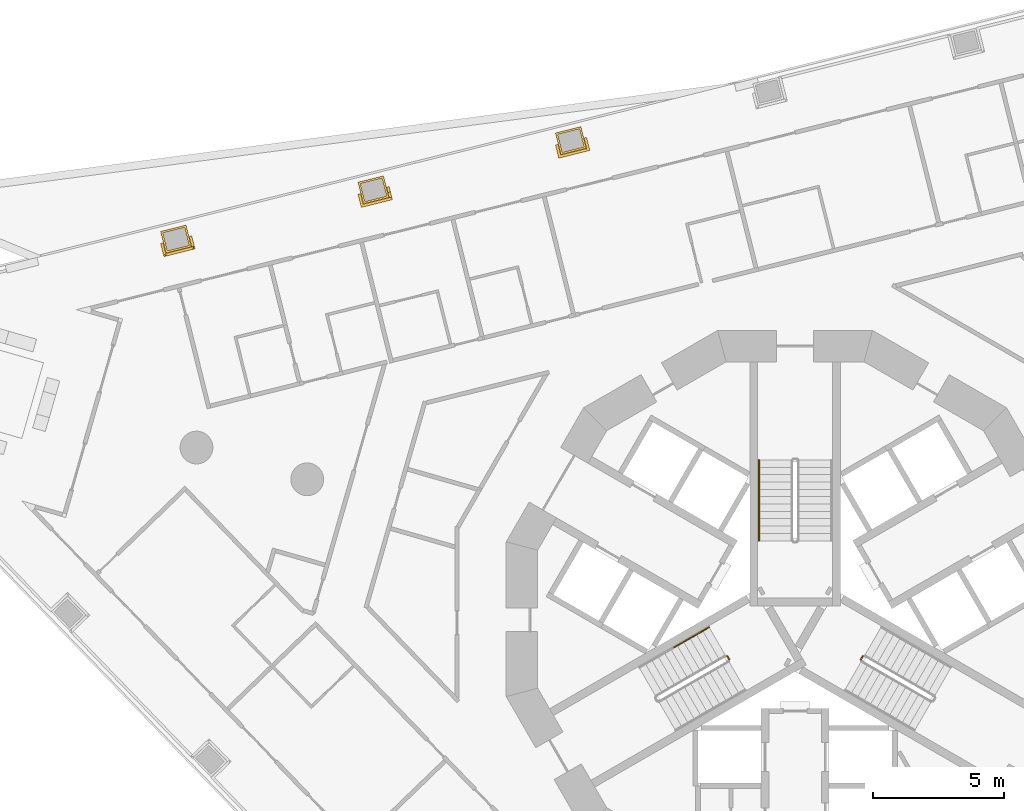
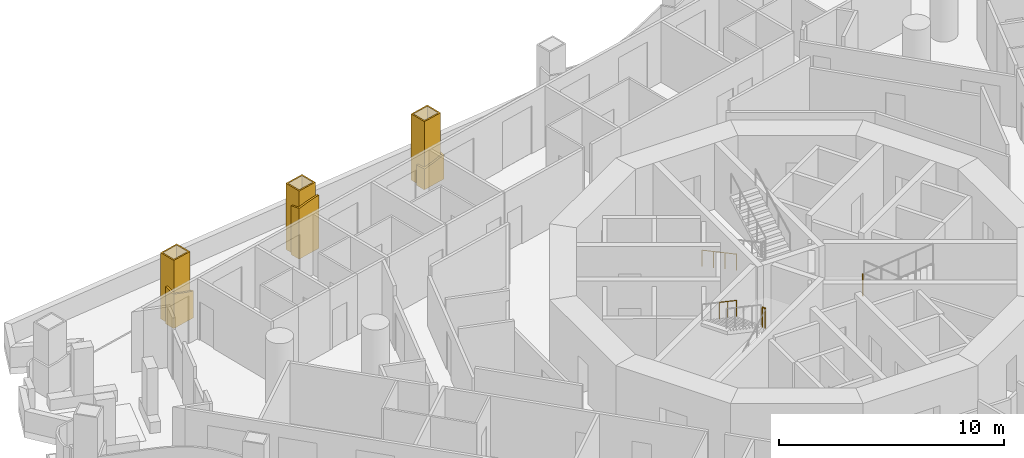
# One storey, part 16 of 19: 7 railings, 3 coverings.
"""IFC4 building model written with IfcOpenShell, lengths in metres."""

from ifc_helpers import new_model, si_unit, direction, frame, origin, origin_2d, place, context, subcontext, project, spatial, polyline, circle, outline, extrude, material, layer, layer_set, type_object, element, save


model = new_model("IFC4")

# Units and contexts
model_context = context("Model", 3, precision=1e-05, world=origin(), true_north=direction((0.0, 1.0)))
body_context = subcontext(model_context, "Body", "Model", "MODEL_VIEW")
ifc_project = project(units=[si_unit("LENGTHUNIT", "METRE"), si_unit("AREAUNIT", "SQUARE_METRE"), si_unit("VOLUMEUNIT", "CUBIC_METRE"), si_unit("PLANEANGLEUNIT", "RADIAN"), si_unit("MASSUNIT", "GRAM", prefix="KILO")], contexts=[model_context])

# Site, building, storey
site_placement = place(None, origin())
site = spatial("IfcSite", under=ifc_project, at=site_placement, CompositionType="ELEMENT")
building_placement = place(site_placement, origin())
building = spatial("IfcBuilding", under=site, at=building_placement, Name="Trine Commons Tower", CompositionType="ELEMENT")
storey_placement = place(building_placement, frame((0.0, 0.0, 87.300048828125)))
storey = spatial("IfcBuildingStorey", under=building, at=storey_placement, Name="L21", CompositionType="ELEMENT", Elevation=87.300048828125)

# Coverings
ifc_material_1 = material(Name="Limestone, honed", Category="masonry")
ifc_layer_1 = layer(ifc_material_1, 0.074951171875)
ifc_layer_set_1 = layer_set([ifc_layer_1], Name="Limestone, honed")
covering_type = type_object("IfcCoveringType", Name="Limestone column cladding 75", PredefinedType="CLADDING", material=ifc_layer_set_1)
covering_1_placement = place(storey_placement, origin())
element("IfcCovering", 1, at=covering_1_placement, inside=storey, type_object=covering_type, Name="Limestone pier cladding 3-10", PredefinedType="CLADDING", context=body_context, shape_type="SweptSolid", body=[
    extrude(outline(polyline([(56.9873046875, 76.698486328125), (56.78173828125, 77.523193359375), (55.811279296875, 77.28125), (56.01708984375, 76.45654296875), (56.9873046875, 76.698486328125)]), holes=[polyline([(56.896484375, 76.7529296875), (56.72705078125, 77.43212890625), (55.90234375, 77.2265625), (56.07177734375, 76.54736328125), (56.896484375, 76.7529296875)])]), origin(), (0.0, 0.0, 1.0), 3.599853515625),
])
covering_2_placement = place(storey_placement, origin())
element("IfcCovering", 2, at=covering_2_placement, inside=storey, type_object=covering_type, Name="Limestone pier cladding 3-11", PredefinedType="CLADDING", context=body_context, shape_type="SweptSolid", body=[
    extrude(outline(polyline([(64.5146484375, 78.5751953125), (64.308837890625, 79.39990234375), (63.338623046875, 79.157958984375), (63.544189453125, 78.333251953125), (64.5146484375, 78.5751953125)]), holes=[polyline([(64.423583984375, 78.6298828125), (64.25439453125, 79.30908203125), (63.4296875, 79.103515625), (63.598876953125, 78.42431640625), (64.423583984375, 78.6298828125)])]), origin(), (0.0, 0.0, 1.0), 3.599853515625),
])
covering_3_placement = place(storey_placement, origin())
element("IfcCovering", 3, at=covering_3_placement, inside=storey, type_object=covering_type, Name="Limestone pier cladding 3-12", PredefinedType="CLADDING", context=body_context, shape_type="SweptSolid", body=[
    extrude(outline(polyline([(72.0419921875, 80.451904296875), (71.836181640625, 81.276611328125), (70.865966796875, 81.03466796875), (71.071533203125, 80.2099609375), (72.0419921875, 80.451904296875)]), holes=[polyline([(71.950927734375, 80.506591796875), (71.781494140625, 81.185791015625), (70.956787109375, 80.97998046875), (71.126220703125, 80.30078125), (71.950927734375, 80.506591796875)])]), origin(), (0.0, 0.0, 1.0), 3.599853515625),
])

# Railings
ifc_material_2 = material(Name="Stainless steel balustrade", Category="steel")
railing_type_1 = type_object("IfcRailingType", Name="Stair guard, steel balustrade 1100", PredefinedType="GUARDRAIL", material=ifc_material_2)
railing_1_placement = place(storey_placement, frame((77.490966796875, 60.96484375, 1.800048828125)))
element("IfcRailing", 4, at=railing_1_placement, inside=storey, type_object=railing_type_1, Name="L21 ST2A stair guard 2", PredefinedType="GUARDRAIL", context=body_context, shape_type="SweptSolid", body=[
    extrude(circle(Radius=0.02392578125, at=origin_2d()), frame((0.0, 0.0, 1.076171875), z_axis=(-0.501036270542, 0.865426285481, 0.0), x_axis=(-0.865426285481, -0.501036270542, 0.0)), (0.0, 0.0, 1.0), 0.150146484375),
    extrude(circle(Radius=0.02099609375, at=origin_2d()), origin(), (0.0, 0.0, 1.0), 1.052001953125),
    extrude(circle(Radius=0.02099609375, at=origin_2d()), frame((-0.0751953125, 0.1298828125, 0.0)), (0.0, 0.0, 1.0), 1.052001953125),
])
railing_2_placement = place(storey_placement, frame((82.584228515625, 61.0947265625, 1.800048828125)))
element("IfcRailing", 5, at=railing_2_placement, inside=storey, type_object=railing_type_1, Name="L21 ST3A stair guard 2", PredefinedType="GUARDRAIL", context=body_context, shape_type="SweptSolid", body=[
    extrude(circle(Radius=0.02392578125, at=origin_2d()), frame((0.0, 0.0, 1.076171875), z_axis=(-0.501036270542, -0.865426285481, 0.0), x_axis=(0.865426285481, -0.501036270542, 0.0)), (0.0, 0.0, 1.0), 0.150146484375),
    extrude(circle(Radius=0.02099609375, at=origin_2d()), origin(), (0.0, 0.0, 1.0), 1.052001953125),
    extrude(circle(Radius=0.02099609375, at=origin_2d()), frame((-0.0751953125, -0.1298828125, 0.0)), (0.0, 0.0, 1.0), 1.052001953125),
])
ifc_material_3 = material(Name="Stainless steel handrail", Category="steel")
railing_type_2 = type_object("IfcRailingType", Name="Stair handrail, steel 900", PredefinedType="HANDRAIL", material=ifc_material_3)
railing_3_placement = place(storey_placement, frame((78.625, 68.570556640625, 0.14990234375)))
element("IfcRailing", 6, at=railing_3_placement, inside=storey, type_object=railing_type_2, Name="L21 ST1A stair handrail 1", PredefinedType="HANDRAIL", context=body_context, shape_type="SweptSolid", body=[
    extrude(circle(Radius=0.02099609375, at=origin_2d()), frame((0.0, 0.0, 0.87890625), z_axis=(0.0, -0.881467505477, 0.472244678941), x_axis=(1.0, 0.0, 0.0)), (0.0, 0.0, 1.0), 3.494140625),
    extrude(circle(Radius=0.01513671875, at=origin_2d()), origin(), (0.0, 0.0, 1.0), 0.85791015625),
    extrude(circle(Radius=0.01513671875, at=origin_2d()), frame((0.0, -1.026611328125, 0.550048828125)), (0.0, 0.0, 1.0), 0.85791015625),
    extrude(circle(Radius=0.01513671875, at=origin_2d()), frame((0.0, -2.053466796875, 1.10009765625)), (0.0, 0.0, 1.0), 0.85791015625),
    extrude(circle(Radius=0.01513671875, at=origin_2d()), frame((0.0, -3.080078125, 1.650146484375)), (0.0, 0.0, 1.0), 0.85791015625),
])
railing_4_placement = place(storey_placement, frame((76.72265625, 62.195556640625, 1.949951171875)))
element("IfcRailing", 7, at=railing_4_placement, inside=storey, type_object=railing_type_2, Name="L21 ST2A stair handrail 3", PredefinedType="HANDRAIL", context=body_context, shape_type="SweptSolid", body=[
    extrude(circle(Radius=0.02099609375, at=origin_2d()), frame((0.0, 0.0, 0.87890625), z_axis=(-0.76340495495, -0.440743040072, 0.472184759798), x_axis=(0.499992328818, -0.866029832698, 0.0)), (0.0, 0.0, 1.0), 1.7470703125),
    extrude(circle(Radius=0.01513671875, at=origin_2d()), origin(), (0.0, 0.0, 1.0), 0.85791015625),
    extrude(circle(Radius=0.01513671875, at=origin_2d()), frame((-0.6669921875, -0.385009765625, 0.41259765625)), (0.0, 0.0, 1.0), 0.85791015625),
    extrude(circle(Radius=0.01513671875, at=origin_2d()), frame((-1.333740234375, -0.77001953125, 0.824951171875)), (0.0, 0.0, 1.0), 0.85791015625),
])
ifc_material_4 = material(Name="White powder-coated aluminium", Category="aluminium")
ifc_layer_2 = layer(ifc_material_4, 0.10009765625)
ifc_layer_set_2 = layer_set([ifc_layer_2], Name="White powder-coated aluminium")
railing_type_3 = type_object("IfcRailingType", Name="White balustrade band 100", PredefinedType="GUARDRAIL", material=ifc_layer_set_2)
railing_5_placement = place(storey_placement, origin())
element("IfcRailing", 8, at=railing_5_placement, inside=storey, type_object=railing_type_3, Name="Guard band L21 8", PredefinedType="GUARDRAIL", context=body_context, shape_type="SweptSolid", body=[
    extrude(outline(polyline([(0.0, 0.0), (0.515869140625, 0.0), (0.515869140625, 1.83740234375), (0.022705078125, 2.02197265625), (0.0, 2.030517578125), (0.0, 0.0)])), frame((55.909423828125, 76.84716796875, 0.0), z_axis=(-0.970309324706, -0.241867348744, 0.0), x_axis=(0.241867348744, -0.970309324706, 0.0)), (0.0, 0.0, 1.0), 0.10009765625),
    extrude(outline(polyline([(0.0, 0.0), (1.2216796875, 0.0), (1.221435546875, 1.455810546875), (0.610595703125, 1.654296875), (0.0, 1.875), (0.0, 0.0)])), frame((55.912109375, 76.420166015625, 0.0), z_axis=(0.241830173933, -0.970318590451, 0.0), x_axis=(0.970318590451, 0.241830173933, 0.0)), (0.0, 0.0, 1.0), 0.10009765625),
    extrude(outline(polyline([(0.0, 0.0), (0.515869140625, 0.0), (0.515869140625, 1.34130859375), (0.493408203125, 1.346435546875), (0.0, 1.48681640625), (0.0, 0.0)])), frame((57.02392578125, 76.59326171875, 0.0), z_axis=(0.970198153098, 0.242312904579, 0.0), x_axis=(-0.242312904579, 0.970198153098, 0.0)), (0.0, 0.0, 1.0), 0.10009765625),
])
railing_6_placement = place(storey_placement, origin())
element("IfcRailing", 9, at=railing_6_placement, inside=storey, type_object=railing_type_3, Name="Guard band L21 9", PredefinedType="GUARDRAIL", context=body_context, shape_type="SweptSolid", body=[
    extrude(outline(polyline([(0.0, 0.0), (0.516357421875, 0.0), (0.516357421875, 2.766357421875), (0.022705078125, 2.653564453125), (0.0, 2.64697265625), (0.0, 0.0)])), frame((63.436767578125, 78.723876953125, 0.0), z_axis=(-0.970364626951, -0.241645382248, 0.0), x_axis=(0.241645382248, -0.970364626951, 0.0)), (0.0, 0.0, 1.0), 0.10009765625),
    extrude(outline(polyline([(0.0, 0.0), (1.221923828125, 0.0), (1.2216796875, 2.896728515625), (0.61083984375, 2.8486328125), (0.0, 2.74560546875), (0.0, 0.0)])), frame((63.439453125, 78.296875, 0.0), z_axis=(0.241971411114, -0.97028337933, 0.0), x_axis=(0.97028337933, 0.241971411114, 0.0)), (0.0, 0.0, 1.0), 0.10009765625),
    extrude(outline(polyline([(0.0, 0.0), (0.515625, 0.0), (0.515380859375, 2.78369140625), (0.4931640625, 2.780029296875), (0.303466796875, 2.780029296875), (0.0, 2.892822265625), (0.0, 0.0)])), frame((64.551025390625, 78.47021484375, 0.0), z_axis=(0.970281616392, 0.241978480223, 0.0), x_axis=(-0.241978480223, 0.970281616392, 0.0)), (0.0, 0.0, 1.0), 0.10009765625),
])
railing_7_placement = place(storey_placement, origin())
element("IfcRailing", 10, at=railing_7_placement, inside=storey, type_object=railing_type_3, Name="Guard band L21 10", PredefinedType="GUARDRAIL", context=body_context, shape_type="SweptSolid", body=[
    extrude(outline(polyline([(0.0, 0.0), (0.515869140625, 0.0), (0.51611328125, 1.13623046875), (0.51611328125, 1.13623046875), (0.022705078125, 1.102783203125), (0.0, 1.1025390625), (0.0, 0.0)])), frame((70.9638671875, 80.6005859375, 0.0), z_axis=(-0.970198153098, -0.242312904579, 0.0), x_axis=(0.242312904579, -0.970198153098, 0.0)), (0.0, 0.0, 1.0), 0.10009765625),
    extrude(outline(polyline([(0.0, 0.0), (1.2216796875, 0.0), (1.221923828125, 1.34326171875), (0.611083984375, 1.209228515625), (0.0, 1.12646484375), (0.0, 0.0)])), frame((70.96630859375, 80.173583984375, 0.0), z_axis=(0.241783285215, -0.970330275211, 0.0), x_axis=(0.970330275211, 0.241783285215, 0.0)), (0.0, 0.0, 1.0), 0.10009765625),
    extrude(outline(polyline([(0.0, 0.0), (0.515380859375, 0.0), (0.515380859375, 1.45947265625), (0.493408203125, 1.4521484375), (0.0, 1.31787109375), (0.0, 0.0)])), frame((72.078125, 80.34716796875, 0.0), z_axis=(0.970365060093, 0.241643642894, 0.0), x_axis=(-0.241643642894, 0.970365060093, 0.0)), (0.0, 0.0, 1.0), 0.10009765625),
])

save(model, "model.ifc")
